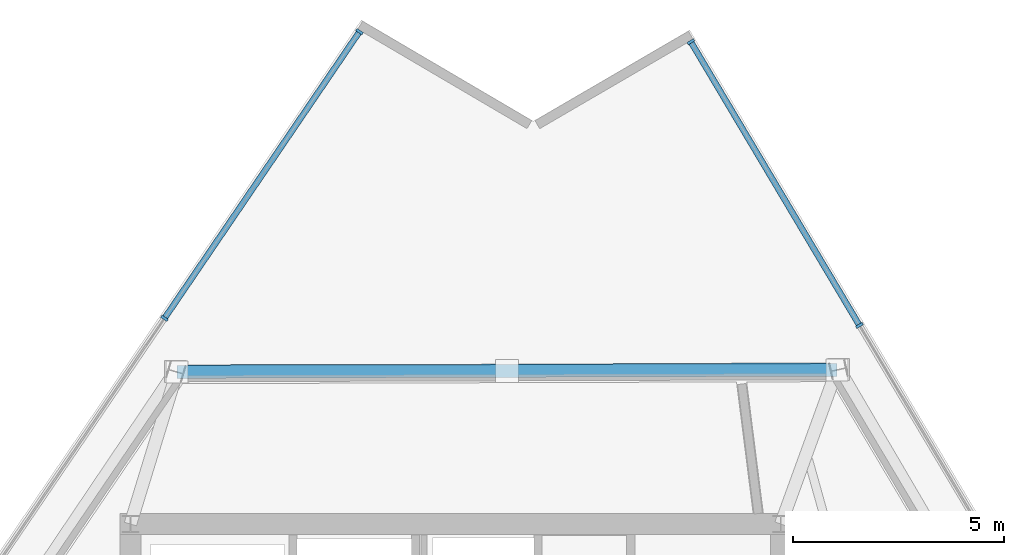
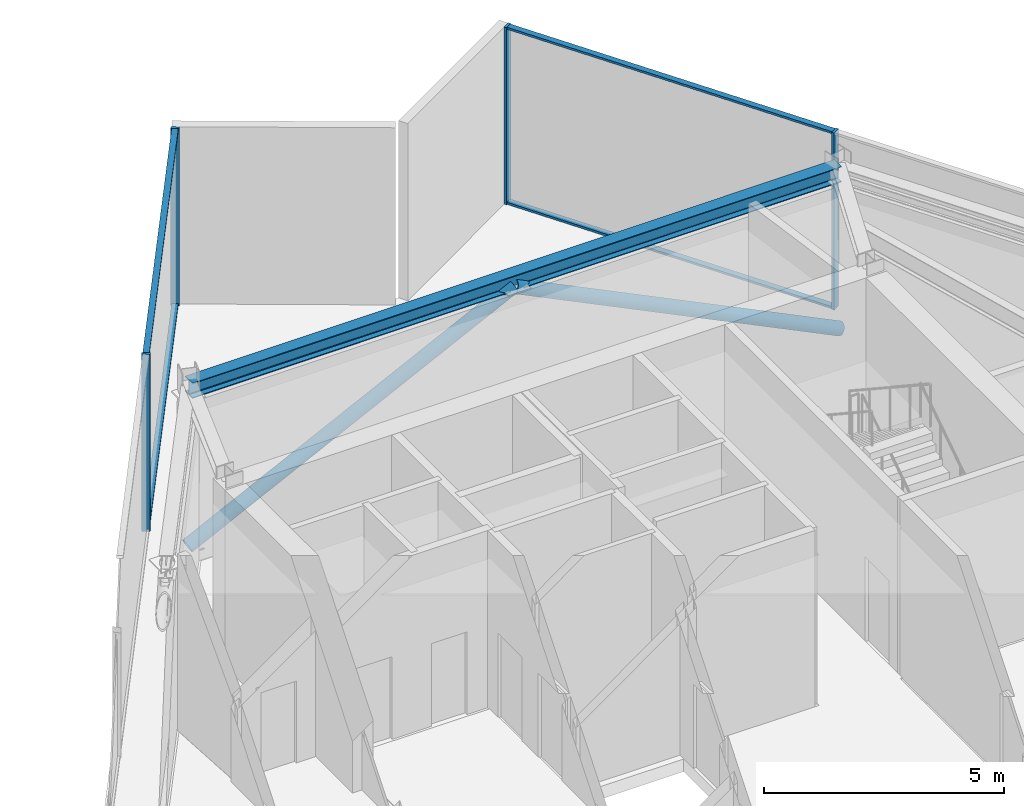
# One storey, part 6 of 14: 10 members, 1 beam, 2 elements without a shape of their own.
"""IFC4 building model written with IfcOpenShell, lengths in metres."""

from ifc_helpers import new_model, si_unit, direction, frame, origin, origin_2d, place, context, subcontext, project, spatial, rectangle, hollow_circle, i_section, extrude, material, material_profile, profile_set, type_object, element, aggregate, save


model = new_model("IFC4")

# Units and contexts
model_context = context("Model", 3, precision=1e-05, world=origin(), true_north=direction((0.0, 1.0)))
body_context = subcontext(model_context, "Body", "Model", "MODEL_VIEW")
ifc_project = project(units=[si_unit("LENGTHUNIT", "METRE"), si_unit("AREAUNIT", "SQUARE_METRE"), si_unit("VOLUMEUNIT", "CUBIC_METRE"), si_unit("PLANEANGLEUNIT", "RADIAN"), si_unit("MASSUNIT", "GRAM", prefix="KILO")], contexts=[model_context])

# Site, building, storey
site_placement = place(None, origin())
site = spatial("IfcSite", under=ifc_project, at=site_placement, CompositionType="ELEMENT")
building_placement = place(site_placement, origin())
building = spatial("IfcBuilding", under=site, at=building_placement, Name="Savorim Split Tower", CompositionType="ELEMENT")
storey_placement = place(building_placement, frame((0.0, 0.0, 185.39990234375)))
storey = spatial("IfcBuildingStorey", under=building, at=storey_placement, Name="L49", CompositionType="ELEMENT", Elevation=185.39990234375)

# Beam
ifc_material_1 = material(Name="Steel S355", Category="steel")
ifc_material_profile_1 = material_profile(ifc_material_1, i_section(OverallWidth=0.300048828125, OverallDepth=0.389892578125, WebThickness=0.010986328125, FlangeThickness=0.01904296875, FilletRadius=0.027099609375, at=origin_2d()), Name="HEA 400")
ifc_profile_set_1 = profile_set([ifc_material_profile_1], Name="Steel S355")
beam_type = type_object("IfcBeamType", Name="BM-SPN-HEA400", PredefinedType="SPANDREL", material=ifc_profile_set_1)
beam_placement = place(storey_placement, frame((9.02587890625, 13.847412109375, 4.30517578125), z_axis=(-0.999995116308, -0.003125277733, 0.0), x_axis=(0.003125277733, -0.999995116308, 0.0)))
element("IfcBeam", 1, at=beam_placement, inside=storey, type_object=beam_type, Name="L49 Perimeter Spandrel Beam 7", PredefinedType="SPANDREL", context=body_context, shape_type="SweptSolid", body=[
    extrude(i_section(OverallWidth=0.300048828125, OverallDepth=0.389892578125, WebThickness=0.010986328125, FlangeThickness=0.01904296875, FilletRadius=0.027099609375, at=origin_2d()), origin(), (0.0, 0.0, 1.0), 15.62353515625),
])

# Curtain wall, members
ifc_material_2 = material(Name="Dark Ceramic-Fritted Insulated Glass", Category="glass")
curtain_wall_type = type_object("IfcCurtainWallType", Name="CW-REFUGE-LVR", PredefinedType="NOTDEFINED", material=ifc_material_2)
curtain_wall_1_placement = place(storey_placement, origin())
curtain_wall_1 = element("IfcCurtainWall", 2, at=curtain_wall_1_placement, inside=storey, type_object=curtain_wall_type, Name="L49 Curtain Wall CW-L49-EAST", PredefinedType="NOTDEFINED")
ifc_material_3 = material(Name="Charcoal Anodised Aluminium", Category="aluminium")
ifc_material_profile_2 = material_profile(ifc_material_3, rectangle(XDim=0.179931640625, YDim=0.06494140625, at=origin_2d()), Name="ALU-M 180x65")
ifc_profile_set_2 = profile_set([ifc_material_profile_2], Name="Charcoal Anodised Aluminium")
member_type_1 = type_object("IfcMemberType", Name="CWM-180x65", PredefinedType="MULLION", material=ifc_profile_set_2)
member_1_placement = place(storey_placement, frame((9.56103515625, 14.90283203125, 0.0), z_axis=(0.0, 0.0, 1.0), x_axis=(-0.859525931116, -0.511092138209, 0.0)))
member_1 = element("IfcMember", 3, at=member_1_placement, type_object=member_type_1, Name="CW-06 mullion 5", PredefinedType="MULLION", context=body_context, shape_type="SweptSolid", body=[
    extrude(rectangle(XDim=0.179931640625, YDim=0.06494140625, at=origin_2d()), origin(), (0.0, 0.0, 1.0), 4.5),
])
member_2_placement = place(storey_placement, frame((5.567626953125, 21.61865234375, 0.0), z_axis=(0.0, 0.0, 1.0), x_axis=(-0.859525931116, -0.511092138209, 0.0)))
member_2 = element("IfcMember", 4, at=member_2_placement, type_object=member_type_1, Name="CW-06 mullion 6", PredefinedType="MULLION", context=body_context, shape_type="SweptSolid", body=[
    extrude(rectangle(XDim=0.179931640625, YDim=0.06494140625, at=origin_2d()), origin(), (0.0, 0.0, 1.0), 4.5),
])

curtain_wall_2_placement = place(storey_placement, origin())
curtain_wall_2 = element("IfcCurtainWall", 5, at=curtain_wall_2_placement, inside=storey, type_object=curtain_wall_type, Name="L49 Curtain Wall CW-L49-WEST", PredefinedType="NOTDEFINED")
member_3_placement = place(storey_placement, frame((-2.275634765625, 21.857666015625, 0.0), z_axis=(0.0, 0.0, 1.0), x_axis=(0.826820328821, -0.562466126845, 0.0)))
member_3 = element("IfcMember", 6, at=member_3_placement, type_object=member_type_1, Name="CW-06 mullion 1", PredefinedType="MULLION", context=body_context, shape_type="SweptSolid", body=[
    extrude(rectangle(XDim=0.179931640625, YDim=0.06494140625, at=origin_2d()), origin(), (0.0, 0.0, 1.0), 4.5),
])
member_4_placement = place(storey_placement, frame((-6.89306640625, 15.0703125, 0.0), z_axis=(0.0, 0.0, 1.0), x_axis=(0.826820328821, -0.562466126845, 0.0)))
member_4 = element("IfcMember", 7, at=member_4_placement, type_object=member_type_1, Name="CW-06 mullion 2", PredefinedType="MULLION", context=body_context, shape_type="SweptSolid", body=[
    extrude(rectangle(XDim=0.179931640625, YDim=0.06494140625, at=origin_2d()), origin(), (0.0, 0.0, 1.0), 4.5),
])

# Member
ifc_material_profile_3 = material_profile(ifc_material_3, rectangle(XDim=0.139892578125, YDim=0.054931640625, at=origin_2d()), Name="ALU-T 140x55")
ifc_profile_set_3 = profile_set([ifc_material_profile_3], Name="Charcoal Anodised Aluminium")
member_type_2 = type_object("IfcMemberType", Name="CWT-140x55", PredefinedType="USERDEFINED", material=ifc_profile_set_3)
member_5_placement = place(storey_placement, frame((9.54443359375, 14.9306640625, 0.027587890625), z_axis=(-0.511086088105, 0.859529528606, 0.0), x_axis=(-0.859529528606, -0.511086088105, 0.0)))
member_5 = element("IfcMember", 8, at=member_5_placement, type_object=member_type_2, Name="CW-06 transom 5.1", ObjectType="TRANSOM", PredefinedType="USERDEFINED", context=body_context, shape_type="SweptSolid", body=[
    extrude(rectangle(XDim=0.139892578125, YDim=0.054931640625, at=origin_2d()), origin(), (0.0, 0.0, 1.0), 7.74853515625),
])

member_6_placement = place(storey_placement, frame((9.54443359375, 14.9306640625, 4.47265625), z_axis=(-0.511086088105, 0.859529528606, 0.0), x_axis=(-0.859529528606, -0.511086088105, 0.0)))
member_6 = element("IfcMember", 9, at=member_6_placement, type_object=member_type_2, Name="CW-06 transom 5.2", ObjectType="TRANSOM", PredefinedType="USERDEFINED", context=body_context, shape_type="SweptSolid", body=[
    extrude(rectangle(XDim=0.139892578125, YDim=0.054931640625, at=origin_2d()), origin(), (0.0, 0.0, 1.0), 7.74853515625),
])

aggregate(curtain_wall_1, [member_1, member_2, member_5, member_6])

member_7_placement = place(storey_placement, frame((-2.2939453125, 21.830810546875, 0.027587890625), z_axis=(-0.562472362671, -0.826816086704, 0.0), x_axis=(0.826816086704, -0.562472362671, 0.0)))
member_7 = element("IfcMember", 10, at=member_7_placement, type_object=member_type_2, Name="CW-06 transom 1.1", ObjectType="TRANSOM", PredefinedType="USERDEFINED", context=body_context, shape_type="SweptSolid", body=[
    extrude(rectangle(XDim=0.139892578125, YDim=0.054931640625, at=origin_2d()), origin(), (0.0, 0.0, 1.0), 8.14404296875),
])

member_8_placement = place(storey_placement, frame((-2.2939453125, 21.830810546875, 4.47265625), z_axis=(-0.562472362671, -0.826816086704, 0.0), x_axis=(0.826816086704, -0.562472362671, 0.0)))
member_8 = element("IfcMember", 11, at=member_8_placement, type_object=member_type_2, Name="CW-06 transom 1.2", ObjectType="TRANSOM", PredefinedType="USERDEFINED", context=body_context, shape_type="SweptSolid", body=[
    extrude(rectangle(XDim=0.139892578125, YDim=0.054931640625, at=origin_2d()), origin(), (0.0, 0.0, 1.0), 8.14404296875),
])

aggregate(curtain_wall_2, [member_3, member_4, member_7, member_8])

# Members
ifc_material_4 = material(Name="Steel S460", Category="steel")
ifc_material_profile_4 = material_profile(ifc_material_4, hollow_circle(Radius=0.161865234375, WallThickness=0.01611328125, at=origin_2d()), Name="CHS 323.9x16")
ifc_profile_set_4 = profile_set([ifc_material_profile_4], Name="Steel S460")
member_type_3 = type_object("IfcMemberType", Name="MBR-BLT-CHS324", PredefinedType="BRACE", material=ifc_profile_set_4)
member_9_placement = place(storey_placement, frame((9.065673828125, 13.856201171875, 0.280029296875), z_axis=(-0.89785582662, -0.003796902749, 0.440273208513), x_axis=(0.004228817909, -0.99999105851, 0.0)))
element("IfcMember", 12, at=member_9_placement, inside=storey, type_object=member_type_3, Name="L49 Perimeter Belt Truss Brace 7A", PredefinedType="BRACE", context=body_context, shape_type="SweptSolid", body=[
    extrude(hollow_circle(Radius=0.161865234375, WallThickness=0.01611328125, at=origin_2d()), origin(), (0.0, 0.0, 1.0), 8.744873046875),
])
member_10_placement = place(storey_placement, frame((-6.62744140625, 13.807373046875, 0.280029296875), z_axis=(0.897638635085, 0.001788625818, 0.440728580444), x_axis=(-0.0019925861, 0.999998014798, 0.0)))
element("IfcMember", 13, at=member_10_placement, inside=storey, type_object=member_type_3, Name="L49 Perimeter Belt Truss Brace 7B", PredefinedType="BRACE", context=body_context, shape_type="SweptSolid", body=[
    extrude(hollow_circle(Radius=0.161865234375, WallThickness=0.01611328125, at=origin_2d()), origin(), (0.0, 0.0, 1.0), 8.73583984375),
])

save(model, "model.ifc")
